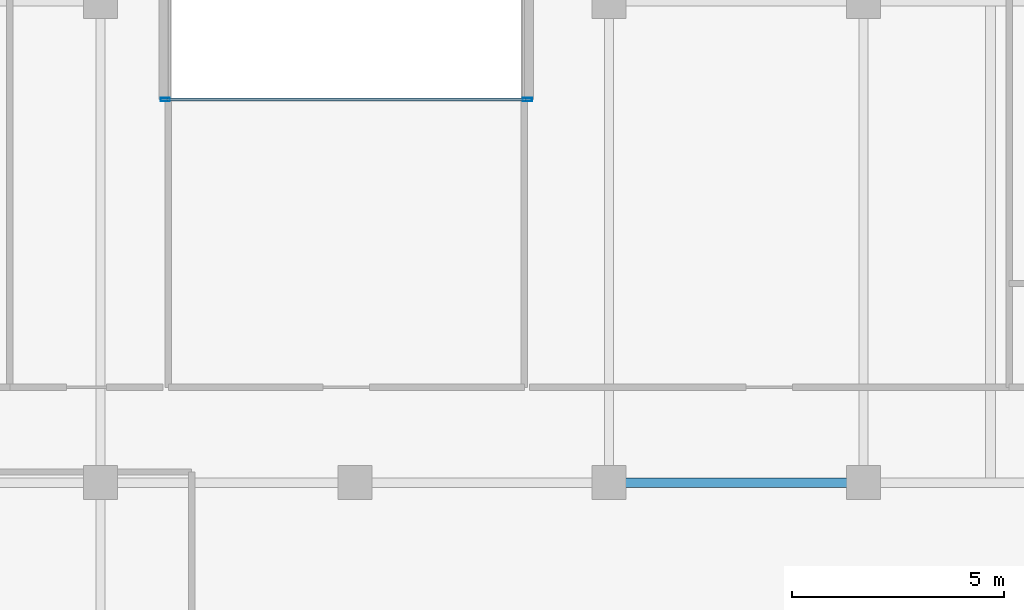
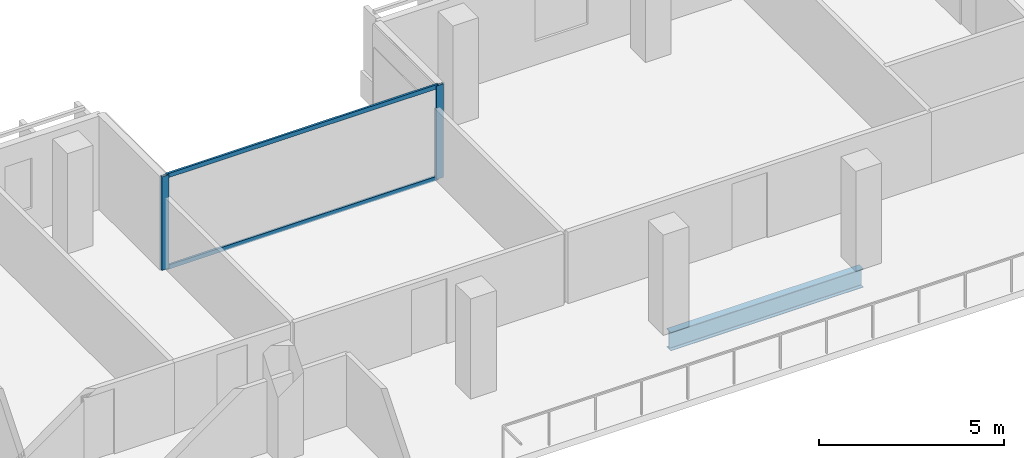
# One storey, part 4 of 16: 4 members, 1 beam, 1 element without a shape of its own.
"""IFC4 building model written with IfcOpenShell, lengths in metres."""

from ifc_helpers import new_model, si_unit, direction, frame, origin, origin_2d, place, context, subcontext, project, spatial, hollow_rectangle, i_section, extrude, material, layer, layer_set, material_profile, profile_set, type_object, element, aggregate, save


model = new_model("IFC4")

# Units and contexts
model_context = context("Model", 3, precision=1e-05, world=origin(), true_north=direction((0.0, 1.0)))
body_context = subcontext(model_context, "Body", "Model", "MODEL_VIEW")
ifc_project = project(units=[si_unit("LENGTHUNIT", "METRE"), si_unit("AREAUNIT", "SQUARE_METRE"), si_unit("VOLUMEUNIT", "CUBIC_METRE"), si_unit("PLANEANGLEUNIT", "RADIAN"), si_unit("MASSUNIT", "GRAM", prefix="KILO")], contexts=[model_context])

# Site, building, storey
site_placement = place(None, origin())
site = spatial("IfcSite", under=ifc_project, at=site_placement, CompositionType="ELEMENT")
building_placement = place(site_placement, origin())
building = spatial("IfcBuilding", under=site, at=building_placement, Name="Tanjung Sevakor Pilgrim Tower", CompositionType="ELEMENT")
storey_placement = place(building_placement, frame((0.0, 0.0, 191.72998046875)))
storey = spatial("IfcBuildingStorey", under=building, at=storey_placement, Name="L53", CompositionType="ELEMENT", Elevation=191.72998046875)

# Beam
ifc_material_1 = material(Name="Steel S355J2", Category="steel")
ifc_material_profile_1 = material_profile(ifc_material_1, i_section(OverallWidth=0.22900390625, OverallDepth=0.6123046875, WebThickness=0.011962890625, FlangeThickness=0.01953125, FilletRadius=0.0126953125, at=origin_2d()))
ifc_profile_set_1 = profile_set([ifc_material_profile_1], Name="Steel S355J2")
beam_type = type_object("IfcBeamType", Name="BM-B-G4-UB_610x229x125", PredefinedType="BEAM", material=ifc_profile_set_1)
beam_placement = place(storey_placement, frame((54.0, 42.60009765625, -0.526123046875), z_axis=(1.0, 0.0, 0.0), x_axis=(0.0, 1.0, 0.0)))
element("IfcBeam", 1, at=beam_placement, inside=storey, type_object=beam_type, Name="L53 Primary Floor Girder MAIN Y426-05", PredefinedType="BEAM", context=body_context, shape_type="SweptSolid", body=[
    extrude(i_section(OverallWidth=0.22900390625, OverallDepth=0.6123046875, WebThickness=0.011962890625, FlangeThickness=0.01953125, FilletRadius=0.0126953125, at=origin_2d()), origin(), (0.0, 0.0, 1.0), 6.0),
])

# Curtain wall, members
ifc_material_2 = material(Name="Aluminium 6063-T6 and Low-E Glass", Category="aluminium")
ifc_layer = layer(ifc_material_2, 0.179931640625)
ifc_layer_set = layer_set([ifc_layer], Name="CW-SYS-CLEFT")
curtain_wall_type = type_object("IfcCurtainWallType", Name="CW-SYS-CLEFT", PredefinedType="NOTDEFINED", material=ifc_layer_set)
curtain_wall_placement = place(storey_placement, origin())
curtain_wall = element("IfcCurtainWall", 2, at=curtain_wall_placement, inside=storey, type_object=curtain_wall_type, Name="L53 Curtain Wall CW-CLF-L53-10", PredefinedType="NOTDEFINED")
ifc_material_3 = material(Name="Aluminium 6063-T6", Category="aluminium")
ifc_material_profile_2 = material_profile(ifc_material_3, hollow_rectangle(XDim=0.074951171875, YDim=0.219970703125, WallThickness=0.0048828125, at=origin_2d()))
ifc_profile_set_2 = profile_set([ifc_material_profile_2], Name="Aluminium 6063-T6")
member_type_1 = type_object("IfcMemberType", Name="TYPE-CWM-2", PredefinedType="MULLION", material=ifc_profile_set_2)
member_1_placement = place(storey_placement, frame((52.072509765625, 51.639892578125, 0.0), z_axis=(0.0, 0.0, 1.0), x_axis=(0.0, -1.0, 0.0)))
member_1 = element("IfcMember", 3, at=member_1_placement, type_object=member_type_1, Name="CW-CLF mullion 1", PredefinedType="MULLION", context=body_context, shape_type="SweptSolid", body=[
    extrude(hollow_rectangle(XDim=0.074951171875, YDim=0.219970703125, WallThickness=0.0048828125, at=origin_2d()), origin(), (0.0, 0.0, 1.0), 3.080078125),
])
member_2_placement = place(storey_placement, frame((43.527587890625, 51.639892578125, 0.0), z_axis=(0.0, 0.0, 1.0), x_axis=(0.0, -1.0, 0.0)))
member_2 = element("IfcMember", 4, at=member_2_placement, type_object=member_type_1, Name="CW-CLF mullion 2", PredefinedType="MULLION", context=body_context, shape_type="SweptSolid", body=[
    extrude(hollow_rectangle(XDim=0.074951171875, YDim=0.219970703125, WallThickness=0.0048828125, at=origin_2d()), origin(), (0.0, 0.0, 1.0), 3.080078125),
])
ifc_material_4 = material(Name="Aluminium 6063-T6", Category="aluminium")
ifc_material_profile_3 = material_profile(ifc_material_4, hollow_rectangle(XDim=0.06494140625, YDim=0.139892578125, WallThickness=0.00390625, at=origin_2d()))
ifc_profile_set_3 = profile_set([ifc_material_profile_3], Name="Aluminium 6063-T6")
member_type_2 = type_object("IfcMemberType", Name="TYPE-CWT-1", PredefinedType="USERDEFINED", material=ifc_profile_set_3)
member_3_placement = place(storey_placement, frame((52.034912109375, 51.639892578125, 0.032470703125), z_axis=(-1.0, 0.0, 0.0), x_axis=(0.0, -1.0, 0.0)))
member_3 = element("IfcMember", 5, at=member_3_placement, type_object=member_type_2, Name="CW-CLF transom 1.1", ObjectType="TRANSOM", PredefinedType="USERDEFINED", context=body_context, shape_type="SweptSolid", body=[
    extrude(hollow_rectangle(XDim=0.06494140625, YDim=0.139892578125, WallThickness=0.00390625, at=origin_2d()), origin(), (0.0, 0.0, 1.0), 8.469970703125),
])
member_4_placement = place(storey_placement, frame((52.034912109375, 51.639892578125, 3.047607421875), z_axis=(-1.0, 0.0, 0.0), x_axis=(0.0, -1.0, 0.0)))
member_4 = element("IfcMember", 6, at=member_4_placement, type_object=member_type_2, Name="CW-CLF transom 1.2", ObjectType="TRANSOM", PredefinedType="USERDEFINED", context=body_context, shape_type="SweptSolid", body=[
    extrude(hollow_rectangle(XDim=0.06494140625, YDim=0.139892578125, WallThickness=0.00390625, at=origin_2d()), origin(), (0.0, 0.0, 1.0), 8.469970703125),
])
aggregate(curtain_wall, [member_1, member_2, member_3, member_4])

save(model, "model.ifc")
